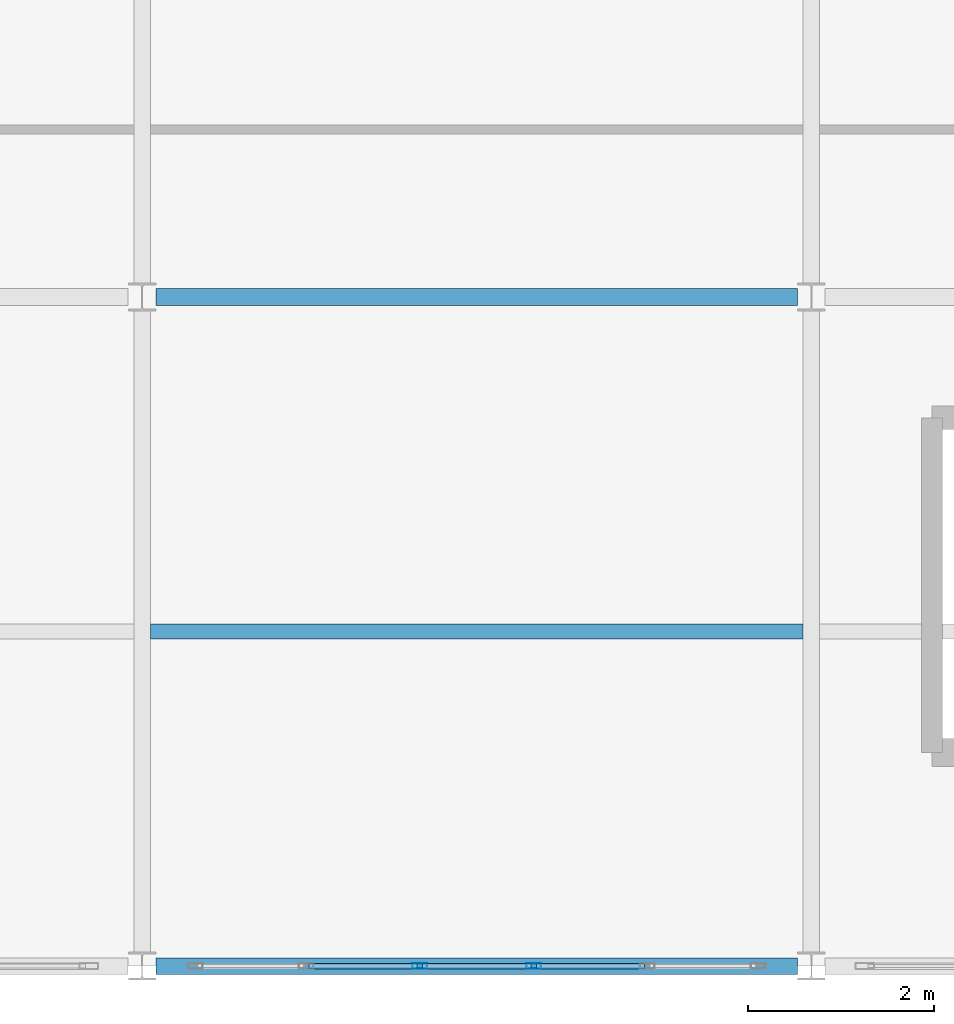
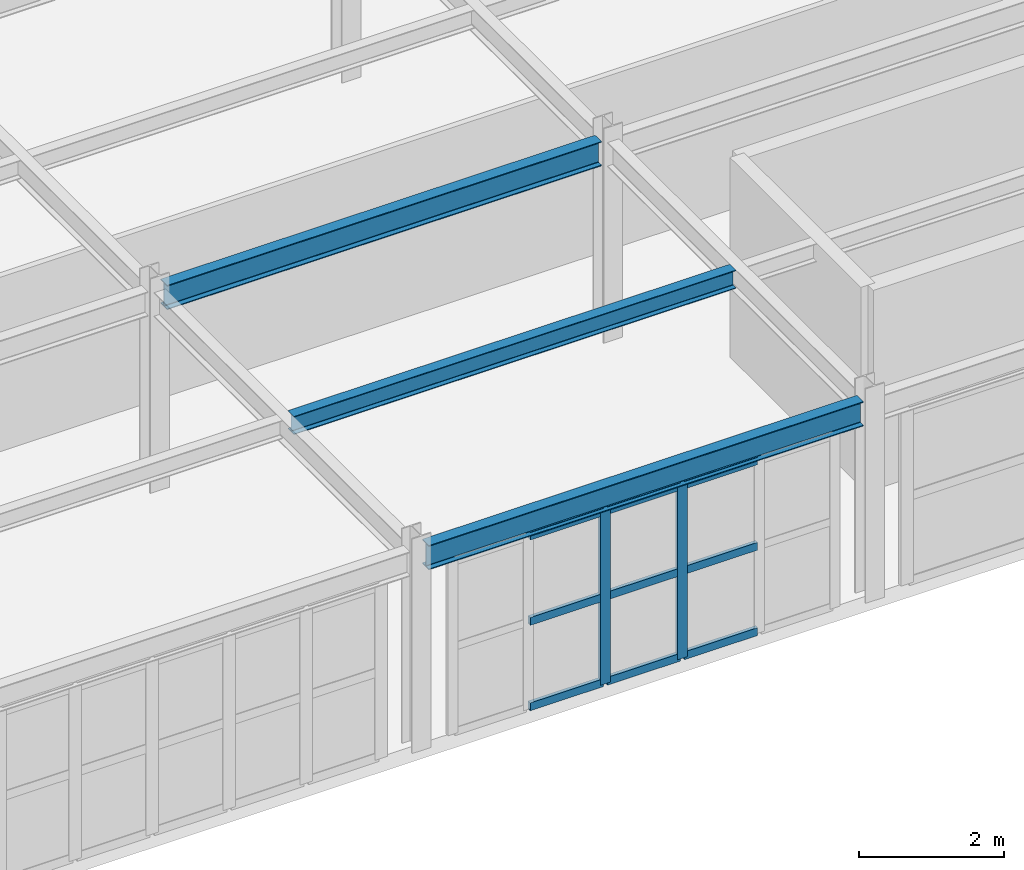
# One storey, part 27 of 73: 11 members, 3 beams, 1 element without a shape of its own.
"""IFC4 building model written with IfcOpenShell, lengths in metres."""

import ifcopenshell
import ifcopenshell.guid

model = None  # the IFC model being written
_history = None  # IfcOwnerHistory: only IFC2X3 demands one
_inside = {}  # id of a spatial element -> (the spatial element, [elements in it])
_under = {}  # id of a project, library or spatial element -> (it, [spatial elements below it])
_declared = {}  # id of a project -> (the project, [libraries it declares])
_typed = {}  # id of a type object -> (the type object, [elements of that type])
_made_of = {}  # id of a material, layer set ... -> (it, [elements and type objects made of it])


def new_model(schema):
    """Start an empty IFC model of exactly this schema.

    Asked for "IFC4X3", IfcOpenShell would pick the latest addendum, in which some entities
    have other attributes; the version numbers below select the first issue.
    IFC2X3 requires an IfcOwnerHistory on every rooted entity: one is made here for all.
    """
    global model, _history
    if schema == "IFC4X3":
        model = ifcopenshell.file(schema_version=(4, 3, 0, 0))
    else:
        model = ifcopenshell.file(schema=schema)
    _inside.clear()
    _under.clear()
    _declared.clear()
    _typed.clear()
    _made_of.clear()
    _history = None
    if model.schema == "IFC2X3":
        org = make("IfcOrganization", Name="unknown")
        user = make(
            "IfcPersonAndOrganization",
            ThePerson=make("IfcPerson", FamilyName="unknown"),
            TheOrganization=org,
        )
        app = make(
            "IfcApplication",
            ApplicationDeveloper=org,
            Version="unknown",
            ApplicationFullName="unknown",
            ApplicationIdentifier="unknown",
        )
        _history = make(
            "IfcOwnerHistory",
            OwningUser=user,
            OwningApplication=app,
            ChangeAction="ADDED",
            CreationDate=0,
        )
    return model


def make(cls, **values):
    """One entity of the class cls with the attributes given. An attribute that is None is left unset."""
    return model.create_entity(
        cls, **{name: value for name, value in values.items() if value is not None}
    )


def rooted(cls, **values):
    """An entity with a GlobalId (a new one), such as an element, a storey or a relation."""
    return make(cls, GlobalId=ifcopenshell.guid.new(), OwnerHistory=_history, **values)


def si_unit(unit_type, name, prefix=None):
    """IfcSIUnit, for example si_unit("LENGTHUNIT", "METRE", prefix="MILLI")."""
    return make("IfcSIUnit", UnitType=unit_type, Prefix=prefix, Name=name)


def assignment(units):
    """IfcUnitAssignment: the units of a project."""
    return None if units is None else make("IfcUnitAssignment", Units=units)


def point(xyz):
    """IfcCartesianPoint."""
    return None if xyz is None else make("IfcCartesianPoint", Coordinates=xyz)


def direction(xyz):
    """IfcDirection."""
    return None if xyz is None else make("IfcDirection", DirectionRatios=xyz)


def frame(location, z_axis=None, x_axis=None):
    """IfcAxis2Placement3D, a coordinate frame: its origin and axes. An axis left out is left unset."""
    return make(
        "IfcAxis2Placement3D",
        Location=point(location),
        Axis=direction(z_axis),
        RefDirection=direction(x_axis),
    )


def frame_2d(location, x_axis=None):
    """IfcAxis2Placement2D, a coordinate frame in the plane: its origin and x axis."""
    return make(
        "IfcAxis2Placement2D", Location=point(location), RefDirection=direction(x_axis)
    )


def origin():
    """The frame at (0, 0, 0) with its axes left unset."""
    return frame((0.0, 0.0, 0.0))


def origin_2d():
    """The frame at (0, 0) in the plane with its x axis left unset."""
    return frame_2d((0.0, 0.0))


def place(relative_to, where):
    """IfcLocalPlacement: puts the frame where relative to a parent placement (None: the world)."""
    return make(
        "IfcLocalPlacement", PlacementRelTo=relative_to, RelativePlacement=where
    )


def context(
    kind, dimensions, precision=None, world=None, true_north=None, identifier=None
):
    """IfcGeometricRepresentationContext, for example the 3D "Model" context."""
    return make(
        "IfcGeometricRepresentationContext",
        ContextIdentifier=identifier,
        ContextType=kind,
        CoordinateSpaceDimension=dimensions,
        Precision=precision,
        WorldCoordinateSystem=world,
        TrueNorth=true_north,
    )


def subcontext(parent, identifier, kind, view, scale=None):
    """IfcGeometricRepresentationSubContext, for example "Body" below "Model"."""
    return make(
        "IfcGeometricRepresentationSubContext",
        ContextIdentifier=identifier,
        ContextType=kind,
        ParentContext=parent,
        TargetScale=scale,
        TargetView=view,
    )


def project(units=None, contexts=None):
    """IfcProject with its units and contexts."""
    return rooted(
        "IfcProject",
        Name="project",
        RepresentationContexts=contexts,
        UnitsInContext=assignment(units),
    )


def spatial(cls, under=None, at=None, **own):
    """A site, building, storey or space (cls), placed at a placement, below another one or the project."""
    s = rooted(cls, ObjectPlacement=at, **own)
    if under is not None:
        _under.setdefault(under.id(), (under, []))[1].append(s)
    return s


def profile(cls, at=None, kind="AREA", **sizes):
    """A parametric profile (cls). Its sizes go by their IFC names, for example OverallWidth=200.0."""
    return make(cls, ProfileType=kind, Position=at, **sizes)


def hollow_rectangle(**sizes):
    """IfcRectangleHollowProfileDef."""
    return profile("IfcRectangleHollowProfileDef", **sizes)


def i_section(**sizes):
    """IfcIShapeProfileDef."""
    return profile("IfcIShapeProfileDef", **sizes)


def extrude(swept, where, along, depth):
    """IfcExtrudedAreaSolid: the profile swept, set in the frame where, extruded along a direction by depth."""
    return make(
        "IfcExtrudedAreaSolid",
        SweptArea=swept,
        Position=where,
        ExtrudedDirection=direction(along),
        Depth=depth,
    )


def shape(context_of_items, identifier, shape_type, items):
    """IfcShapeRepresentation: the items that make up one representation, for example the "Body"."""
    return make(
        "IfcShapeRepresentation",
        ContextOfItems=context_of_items,
        RepresentationIdentifier=identifier,
        RepresentationType=shape_type,
        Items=items,
    )


def material(Name=None, Category=None):
    """IfcMaterial."""
    return make("IfcMaterial", Name=Name, Category=Category)


def layer(
    of_material, thickness, ventilated=None, Name=None, Category=None, Priority=None
):
    """IfcMaterialLayer: one layer of a wall or slab, of a material (None: an air gap)."""
    return make(
        "IfcMaterialLayer",
        Material=of_material,
        LayerThickness=thickness,
        IsVentilated=ventilated,
        Name=Name,
        Category=Category,
        Priority=Priority,
    )


def layer_set(layers, Name=None):
    """IfcMaterialLayerSet."""
    return make("IfcMaterialLayerSet", MaterialLayers=layers, LayerSetName=Name)


def material_profile(
    of_material, cross_section, Name=None, Category=None, Priority=None
):
    """IfcMaterialProfile: a cross section and its material."""
    return make(
        "IfcMaterialProfile",
        Name=Name,
        Material=of_material,
        Profile=cross_section,
        Priority=Priority,
        Category=Category,
    )


def profile_set(profiles, Name=None, composite=None):
    """IfcMaterialProfileSet."""
    return make(
        "IfcMaterialProfileSet",
        Name=Name,
        MaterialProfiles=profiles,
        CompositeProfile=composite,
    )


def made_of(thing, what):
    """Note that an element or type object is made of a material, layer set ...; save() writes the relation."""
    if what is not None:
        _made_of.setdefault(what.id(), (what, []))[1].append(thing)
    return thing


def type_object(cls, material=None, **own):
    """A type object (cls), such as IfcWallType, which elements share."""
    return made_of(rooted(cls, **own), material)


def element(
    cls,
    number,
    at=None,
    inside=None,
    cuts=None,
    type_object=None,
    material=None,
    context=None,
    identifier="Body",
    shape_type=None,
    held_by="IfcProductDefinitionShape",
    body=None,
    shapes=None,
    **own,
):
    """One element of the class cls, such as IfcWall. Its Tag is "e" and its number.

    at: its placement. inside: the storey or other place that contains it. cuts: it is an
    opening in that element (IfcRelVoidsElement). A single representation is given by context,
    identifier, shape_type and body (its items); several are given by shapes. held_by: the class
    of the entity that holds the representations. save() writes the other relations.
    """
    e = rooted(cls, Tag="e%d" % number, ObjectPlacement=at, **own)
    if body is not None:
        shapes = [shape(context, identifier, shape_type, body)]
    if shapes is not None:
        e.Representation = make(held_by, Representations=shapes)
    if inside is not None:
        _inside.setdefault(inside.id(), (inside, []))[1].append(e)
    if cuts is not None:
        rooted(
            "IfcRelVoidsElement", RelatingBuildingElement=cuts, RelatedOpeningElement=e
        )
    if type_object is not None:
        _typed.setdefault(type_object.id(), (type_object, []))[1].append(e)
    return made_of(e, material)


def aggregate(whole, parts):
    """IfcRelAggregates: a whole, such as a stair, and the parts it consists of."""
    return rooted("IfcRelAggregates", RelatingObject=whole, RelatedObjects=parts)


def save(model, path):
    """Write the relations noted so far, then the file.

    IfcRelAggregates (storeys below a building ...), IfcRelContainedInSpatialStructure (elements
    in a storey), IfcRelDefinesByType, IfcRelAssociatesMaterial and IfcRelDeclares: one each for
    every whole, place, type object, material and project.
    """
    for whole, parts in _under.values():
        aggregate(whole, parts)
    for where, things in _inside.values():
        rooted(
            "IfcRelContainedInSpatialStructure",
            RelatedElements=things,
            RelatingStructure=where,
        )
    for kind, things in _typed.values():
        rooted("IfcRelDefinesByType", RelatedObjects=things, RelatingType=kind)
    for what, things in _made_of.values():
        rooted("IfcRelAssociatesMaterial", RelatedObjects=things, RelatingMaterial=what)
    for by, libraries in _declared.values():
        rooted("IfcRelDeclares", RelatingContext=by, RelatedDefinitions=libraries)
    model.write(path)


model = new_model("IFC4")

# Units and contexts
model_context = context("Model", 3, precision=1e-05, world=origin(), true_north=direction((0.0, 1.0)))
body_context = subcontext(model_context, "Body", "Model", "MODEL_VIEW")
ifc_project = project(units=[si_unit("LENGTHUNIT", "METRE"), si_unit("AREAUNIT", "SQUARE_METRE"), si_unit("VOLUMEUNIT", "CUBIC_METRE"), si_unit("PLANEANGLEUNIT", "RADIAN"), si_unit("MASSUNIT", "GRAM", prefix="KILO")], contexts=[model_context])

# Site, building, storey
site_placement = place(None, origin())
site = spatial("IfcSite", under=ifc_project, at=site_placement, CompositionType="ELEMENT")
building_placement = place(site_placement, origin())
building = spatial("IfcBuilding", under=site, at=building_placement, Name="Carrowvane Square Congress Hotel", CompositionType="ELEMENT")
storey_placement = place(building_placement, frame((0.0, 0.0, 19.199951171875)))
storey = spatial("IfcBuildingStorey", under=building, at=storey_placement, Name="L04", CompositionType="ELEMENT", Elevation=19.199951171875)

# Beams
ifc_material_1 = material(Name="Steel S355", Category="steel")
ifc_material_profile_1 = material_profile(ifc_material_1, i_section(OverallWidth=0.165771484375, OverallDepth=0.306640625, WebThickness=0.006591796875, FlangeThickness=0.01171875, FilletRadius=0.0087890625, at=origin_2d()), Name="UKB 305x165x46")
ifc_profile_set_1 = profile_set([ifc_material_profile_1], Name="Steel S355")
beam_type_1 = type_object("IfcBeamType", Name="BM-ST-UKB305", PredefinedType="JOIST", material=ifc_profile_set_1)
beam_placement = place(storey_placement, frame((155.689453125, 59.39990234375, 3.19677734375), z_axis=(1.0, 0.0, 0.0), x_axis=(0.0, 1.0, 0.0)))
element("IfcBeam", 1, at=beam_placement, inside=storey, type_object=beam_type_1, Name="L05 secondary joist 21-22", PredefinedType="JOIST", context=body_context, shape_type="SweptSolid", body=[
    extrude(i_section(OverallWidth=0.165771484375, OverallDepth=0.306640625, WebThickness=0.006591796875, FlangeThickness=0.01171875, FilletRadius=0.0087890625, at=origin_2d()), origin(), (0.0, 0.0, 1.0), 7.021240234375),
])
ifc_material_2 = material(Name="Steel S355", Category="steel")
ifc_material_profile_2 = material_profile(ifc_material_2, i_section(OverallWidth=0.1787109375, OverallDepth=0.409423828125, WebThickness=0.0087890625, FlangeThickness=0.014404296875, FilletRadius=0.01025390625, at=origin_2d()), Name="UKB 406x178x67")
ifc_profile_set_2 = profile_set([ifc_material_profile_2], Name="Steel S355")
beam_type_2 = type_object("IfcBeamType", Name="BM-ST-UKB406", PredefinedType="BEAM", material=ifc_profile_set_2)
for number, where, z_axis, x_axis, name in (
    (2, (155.75, 55.800048828125, 3.145263671875), (1.0, 0.0, 0.0), (0.0, 1.0, 0.0), "L05 girder H/21-22"),
    (3, (155.75, 63.0, 3.145263671875), (1.0, 0.0, 0.0), (0.0, 1.0, 0.0), "L05 girder J/21-22"),
):
    element("IfcBeam", number, at=place(storey_placement, frame(where, z_axis=z_axis, x_axis=x_axis)), inside=storey, type_object=beam_type_2, Name=name, PredefinedType="BEAM", context=body_context, shape_type="SweptSolid", body=[
        extrude(i_section(OverallWidth=0.1787109375, OverallDepth=0.409423828125, WebThickness=0.0087890625, FlangeThickness=0.014404296875, FilletRadius=0.01025390625, at=origin_2d()), origin(), (0.0, 0.0, 1.0), 6.89990234375),
    ])

# Curtain wall, members
ifc_material_3 = material(Name="Anodised aluminium", Category="aluminium")
ifc_layer = layer(ifc_material_3, 0.23388671875)
ifc_layer_set = layer_set([ifc_layer], Name="Anodised aluminium")
curtain_wall_type = type_object("IfcCurtainWallType", Name="CW-SYS-7", PredefinedType="NOTDEFINED", material=ifc_layer_set)
curtain_wall_placement = place(storey_placement, origin())
curtain_wall = element("IfcCurtainWall", 4, at=curtain_wall_placement, inside=storey, type_object=curtain_wall_type, Name="L04 unitised curtain wall 302", PredefinedType="NOTDEFINED")
ifc_material_4 = material(Name="Anodised aluminium", Category="aluminium")
ifc_material_profile_3 = material_profile(ifc_material_4, hollow_rectangle(XDim=0.06005859375, YDim=0.159912109375, WallThickness=0.00390625, at=origin_2d()), Name="CW-ML 60x160x4")
ifc_profile_set_3 = profile_set([ifc_material_profile_3], Name="Anodised aluminium")
member_type_1 = type_object("IfcMemberType", Name="CW-MUL-1", PredefinedType="MULLION", material=ifc_profile_set_3)
member_1_placement = place(storey_placement, frame((159.81201171875, 55.800048828125, 0.0), z_axis=(0.0, 0.0, 1.0), x_axis=(0.0, -1.0, 0.0)))
member_1 = element("IfcMember", 5, at=member_1_placement, type_object=member_type_1, Name="CW-7 mullion 3", PredefinedType="MULLION", context=body_context, shape_type="SweptSolid", body=[
    extrude(hollow_rectangle(XDim=0.06005859375, YDim=0.159912109375, WallThickness=0.00390625, at=origin_2d()), origin(), (0.0, 0.0, 1.0), 2.925537109375),
])
member_2_placement = place(storey_placement, frame((158.587890625, 55.800048828125, 0.0), z_axis=(0.0, 0.0, 1.0), x_axis=(0.0, -1.0, 0.0)))
member_2 = element("IfcMember", 6, at=member_2_placement, type_object=member_type_1, Name="CW-7 mullion 4", PredefinedType="MULLION", context=body_context, shape_type="SweptSolid", body=[
    extrude(hollow_rectangle(XDim=0.06005859375, YDim=0.159912109375, WallThickness=0.00390625, at=origin_2d()), origin(), (0.0, 0.0, 1.0), 2.925537109375),
])
ifc_material_5 = material(Name="Anodised aluminium", Category="aluminium")
ifc_material_profile_4 = material_profile(ifc_material_5, hollow_rectangle(XDim=0.06005859375, YDim=0.1298828125, WallThickness=0.00390625, at=origin_2d()), Name="CW-TR 60x130x4")
ifc_profile_set_4 = profile_set([ifc_material_profile_4], Name="Anodised aluminium")
member_type_2 = type_object("IfcMemberType", Name="CW-TRN-1", PredefinedType="USERDEFINED", material=ifc_profile_set_4)
member_3_placement = place(storey_placement, frame((161.006103515625, 55.800048828125, 0.030029296875), z_axis=(-1.0, 0.0, 0.0), x_axis=(0.0, -1.0, 0.0)))
member_3 = element("IfcMember", 7, at=member_3_placement, type_object=member_type_2, Name="CW-7 transom 2.1", ObjectType="TRANSOM", PredefinedType="USERDEFINED", context=body_context, shape_type="SweptSolid", body=[
    extrude(hollow_rectangle(XDim=0.06005859375, YDim=0.1298828125, WallThickness=0.00390625, at=origin_2d()), origin(), (0.0, 0.0, 1.0), 1.1640625),
])
member_4_placement = place(storey_placement, frame((161.006103515625, 55.800048828125, 1.462890625), z_axis=(-1.0, 0.0, 0.0), x_axis=(0.0, -1.0, 0.0)))
member_4 = element("IfcMember", 8, at=member_4_placement, type_object=member_type_2, Name="CW-7 transom 2.2", ObjectType="TRANSOM", PredefinedType="USERDEFINED", context=body_context, shape_type="SweptSolid", body=[
    extrude(hollow_rectangle(XDim=0.06005859375, YDim=0.1298828125, WallThickness=0.00390625, at=origin_2d()), origin(), (0.0, 0.0, 1.0), 1.1640625),
])
member_5_placement = place(storey_placement, frame((161.006103515625, 55.800048828125, 2.895751953125), z_axis=(-1.0, 0.0, 0.0), x_axis=(0.0, -1.0, 0.0)))
member_5 = element("IfcMember", 9, at=member_5_placement, type_object=member_type_2, Name="CW-7 transom 2.3", ObjectType="TRANSOM", PredefinedType="USERDEFINED", context=body_context, shape_type="SweptSolid", body=[
    extrude(hollow_rectangle(XDim=0.06005859375, YDim=0.1298828125, WallThickness=0.00390625, at=origin_2d()), origin(), (0.0, 0.0, 1.0), 1.1640625),
])
member_6_placement = place(storey_placement, frame((159.781982421875, 55.800048828125, 0.030029296875), z_axis=(-1.0, 0.0, 0.0), x_axis=(0.0, -1.0, 0.0)))
member_6 = element("IfcMember", 10, at=member_6_placement, type_object=member_type_2, Name="CW-7 transom 3.1", ObjectType="TRANSOM", PredefinedType="USERDEFINED", context=body_context, shape_type="SweptSolid", body=[
    extrude(hollow_rectangle(XDim=0.06005859375, YDim=0.1298828125, WallThickness=0.00390625, at=origin_2d()), origin(), (0.0, 0.0, 1.0), 1.1640625),
])
member_7_placement = place(storey_placement, frame((159.781982421875, 55.800048828125, 1.462890625), z_axis=(-1.0, 0.0, 0.0), x_axis=(0.0, -1.0, 0.0)))
member_7 = element("IfcMember", 11, at=member_7_placement, type_object=member_type_2, Name="CW-7 transom 3.2", ObjectType="TRANSOM", PredefinedType="USERDEFINED", context=body_context, shape_type="SweptSolid", body=[
    extrude(hollow_rectangle(XDim=0.06005859375, YDim=0.1298828125, WallThickness=0.00390625, at=origin_2d()), origin(), (0.0, 0.0, 1.0), 1.1640625),
])
member_8_placement = place(storey_placement, frame((159.781982421875, 55.800048828125, 2.895751953125), z_axis=(-1.0, 0.0, 0.0), x_axis=(0.0, -1.0, 0.0)))
member_8 = element("IfcMember", 12, at=member_8_placement, type_object=member_type_2, Name="CW-7 transom 3.3", ObjectType="TRANSOM", PredefinedType="USERDEFINED", context=body_context, shape_type="SweptSolid", body=[
    extrude(hollow_rectangle(XDim=0.06005859375, YDim=0.1298828125, WallThickness=0.00390625, at=origin_2d()), origin(), (0.0, 0.0, 1.0), 1.1640625),
])
member_9_placement = place(storey_placement, frame((158.55810546875, 55.800048828125, 0.030029296875), z_axis=(-1.0, 0.0, 0.0), x_axis=(0.0, -1.0, 0.0)))
member_9 = element("IfcMember", 13, at=member_9_placement, type_object=member_type_2, Name="CW-7 transom 4.1", ObjectType="TRANSOM", PredefinedType="USERDEFINED", context=body_context, shape_type="SweptSolid", body=[
    extrude(hollow_rectangle(XDim=0.06005859375, YDim=0.1298828125, WallThickness=0.00390625, at=origin_2d()), origin(), (0.0, 0.0, 1.0), 1.1640625),
])
member_10_placement = place(storey_placement, frame((158.55810546875, 55.800048828125, 1.462890625), z_axis=(-1.0, 0.0, 0.0), x_axis=(0.0, -1.0, 0.0)))
member_10 = element("IfcMember", 14, at=member_10_placement, type_object=member_type_2, Name="CW-7 transom 4.2", ObjectType="TRANSOM", PredefinedType="USERDEFINED", context=body_context, shape_type="SweptSolid", body=[
    extrude(hollow_rectangle(XDim=0.06005859375, YDim=0.1298828125, WallThickness=0.00390625, at=origin_2d()), origin(), (0.0, 0.0, 1.0), 1.1640625),
])
member_11_placement = place(storey_placement, frame((158.55810546875, 55.800048828125, 2.895751953125), z_axis=(-1.0, 0.0, 0.0), x_axis=(0.0, -1.0, 0.0)))
member_11 = element("IfcMember", 15, at=member_11_placement, type_object=member_type_2, Name="CW-7 transom 4.3", ObjectType="TRANSOM", PredefinedType="USERDEFINED", context=body_context, shape_type="SweptSolid", body=[
    extrude(hollow_rectangle(XDim=0.06005859375, YDim=0.1298828125, WallThickness=0.00390625, at=origin_2d()), origin(), (0.0, 0.0, 1.0), 1.1640625),
])
aggregate(curtain_wall, [member_1, member_2, member_3, member_4, member_5, member_6, member_7, member_8, member_9, member_10, member_11])

save(model, "model.ifc")
